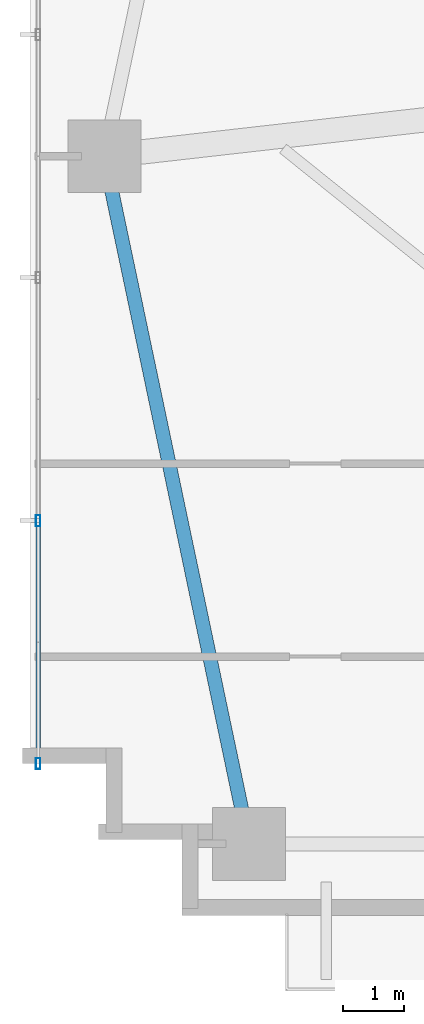
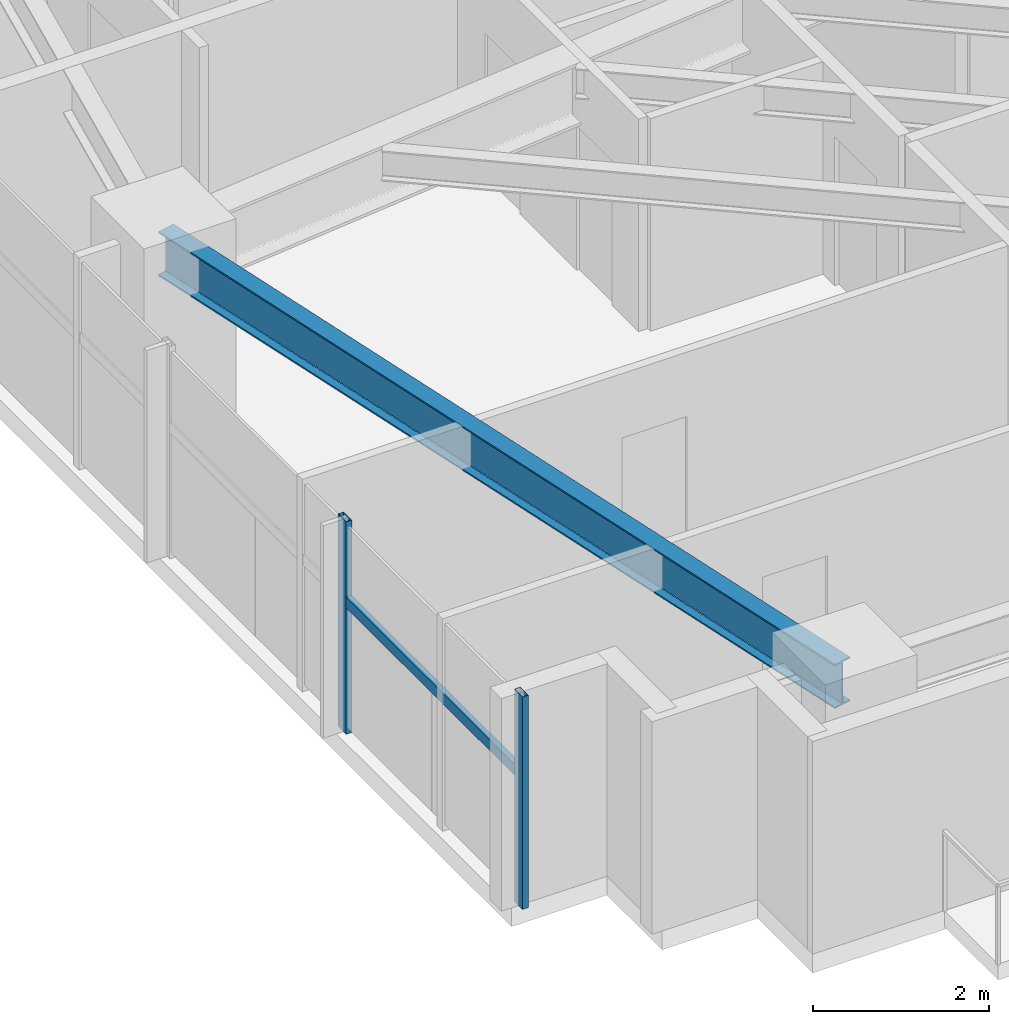
# One storey, part 2 of 25: 3 members, 1 beam, 1 element without a shape of its own.
"""IFC4 building model written with IfcOpenShell, lengths in metres."""

from ifc_helpers import new_model, si_unit, direction, frame, origin, origin_2d, place, context, subcontext, project, spatial, hollow_rectangle, i_section, extrude, source, transform, mapped, material, material_profile, profile_set, type_object, type_shapes, element, aggregate, save


model = new_model("IFC4")

# Units and contexts
model_context = context("Model", 3, precision=1e-05, world=origin(), true_north=direction((0.0, 1.0)))
body_context = subcontext(model_context, "Body", "Model", "MODEL_VIEW")
ifc_project = project(units=[si_unit("LENGTHUNIT", "METRE"), si_unit("AREAUNIT", "SQUARE_METRE"), si_unit("VOLUMEUNIT", "CUBIC_METRE"), si_unit("PLANEANGLEUNIT", "RADIAN"), si_unit("MASSUNIT", "GRAM", prefix="KILO")], contexts=[model_context])

# Site, building, storey
site_placement = place(None, origin())
site = spatial("IfcSite", under=ifc_project, at=site_placement, CompositionType="ELEMENT")
building_placement = place(site_placement, origin())
building = spatial("IfcBuilding", under=site, at=building_placement, Name="Astriad Promenade Condominiums", CompositionType="ELEMENT")
storey_placement = place(building_placement, frame((0.0, 0.0, 61.39990234375)))
storey = spatial("IfcBuildingStorey", under=building, at=storey_placement, Name="L17", CompositionType="ELEMENT", Elevation=61.39990234375)

# Beam
ifc_material_1 = material(Name="Steel ASTM A992 Grade 50", Category="steel")
ifc_material_profile_1 = material_profile(ifc_material_1, i_section(OverallWidth=0.22900390625, OverallDepth=0.612060546875, WebThickness=0.011962890625, FlangeThickness=0.01953125, FilletRadius=0.017822265625, at=origin_2d()), Name="W24X84")
ifc_profile_set_1 = profile_set([ifc_material_profile_1], Name="Steel ASTM A992 Grade 50")
beam_type = type_object("IfcBeamType", Name="STEEL SPANDREL BEAM W24X84", PredefinedType="SPANDREL", material=ifc_profile_set_1)
shared_shape_1 = source(origin(), body_context, "Body", "SweptSolid", [
    extrude(i_section(OverallWidth=0.22900390625, OverallDepth=0.612060546875, WebThickness=0.011962890625, FlangeThickness=0.01953125, FilletRadius=0.017822265625, at=origin_2d()), origin(), (0.0, 0.0, 1.0), 11.487548828125),
])
type_shapes(beam_type, [shared_shape_1])
beam_placement = place(storey_placement, frame((7.0283203125, 15.160888671875, 2.634033203125), z_axis=(0.205748055501, -0.978604995725, 0.0), x_axis=(0.978604995725, 0.205748055501, 0.0)))
element("IfcBeam", 1, at=beam_placement, inside=storey, type_object=beam_type, Name="Perimeter Spandrel Beam SP-W1-L17", PredefinedType="SPANDREL", context=body_context, shape_type="MappedRepresentation", body=[
    mapped(shared_shape_1, transform((0.0, 0.0, 0.0), scale=1.0)),
])

# Curtain wall, members
ifc_material_2 = material(Name="Anodised aluminium Black Dark Glass Unitised", Category="aluminium")
curtain_wall_type = type_object("IfcCurtainWallType", Name="CW-B1-DARK", PredefinedType="USERDEFINED", material=ifc_material_2)
curtain_wall_placement = place(storey_placement, origin())
curtain_wall = element("IfcCurtainWall", 2, at=curtain_wall_placement, inside=storey, type_object=curtain_wall_type, Name="CW-L17-W", ObjectType="UNITISED_CURTAIN_WALL", PredefinedType="USERDEFINED")
ifc_material_3 = material(Name="Anodised aluminium 6063-T6 Black", Category="aluminium")
ifc_material_profile_2 = material_profile(ifc_material_3, hollow_rectangle(XDim=0.074951171875, YDim=0.14990234375, WallThickness=0.004150390625, at=origin_2d()), Name="ALU-TRN-75X150")
ifc_profile_set_2 = profile_set([ifc_material_profile_2], Name="Anodised aluminium 6063-T6 Black")
member_type_1 = type_object("IfcMemberType", Name="TRN-ALU-TRN-75X150", PredefinedType="USERDEFINED", material=ifc_profile_set_2)
shared_shape_2 = source(origin(), body_context, "Body", "SweptSolid", [
    extrude(hollow_rectangle(XDim=0.074951171875, YDim=0.14990234375, WallThickness=0.004150390625, at=origin_2d()), origin(), (0.0, 0.0, 1.0), 4.0),
])
type_shapes(member_type_1, [shared_shape_2])
member_1_placement = place(storey_placement, frame((5.929931640625, 5.199951171875, 1.822998046875), z_axis=(0.0, 1.0, 0.0), x_axis=(-1.0, 0.0, 0.0)))
member_1 = element("IfcMember", 3, at=member_1_placement, type_object=member_type_1, Name="CW-L17-W-TRN-00-0", ObjectType="TRANSOM", PredefinedType="USERDEFINED", context=body_context, shape_type="MappedRepresentation", body=[
    mapped(shared_shape_2, transform((0.0, 0.0, 0.0), scale=1.0)),
])
ifc_material_profile_3 = material_profile(ifc_material_3, hollow_rectangle(XDim=0.074951171875, YDim=0.18505859375, WallThickness=0.00439453125, at=origin_2d()), Name="ALU-MUL-75X185")
ifc_profile_set_3 = profile_set([ifc_material_profile_3], Name="Anodised aluminium 6063-T6 Black")
member_type_2 = type_object("IfcMemberType", Name="MUL-ALU-MUL-75X185", PredefinedType="MULLION", material=ifc_profile_set_3)
shared_shape_3 = source(origin(), body_context, "Body", "SweptSolid", [
    extrude(hollow_rectangle(XDim=0.074951171875, YDim=0.18505859375, WallThickness=0.00439453125, at=origin_2d()), origin(), (0.0, 0.0, 1.0), 2.940185546875),
])
type_shapes(member_type_2, [shared_shape_3])
member_2_placement = place(storey_placement, frame((5.929931640625, 5.199951171875, 0.0), z_axis=(0.0, 0.0, 1.0), x_axis=(1.0, 0.0, 0.0)))
member_2 = element("IfcMember", 4, at=member_2_placement, type_object=member_type_2, Name="CW-L17-W-MUL-00", PredefinedType="MULLION", context=body_context, shape_type="MappedRepresentation", body=[
    mapped(shared_shape_3, transform((0.0, 0.0, 0.0), scale=1.0)),
])
member_3_placement = place(storey_placement, frame((5.929931640625, 9.199951171875, 0.0), z_axis=(0.0, 0.0, 1.0), x_axis=(1.0, 0.0, 0.0)))
member_3 = element("IfcMember", 5, at=member_3_placement, type_object=member_type_2, Name="CW-L17-W-MUL-01", PredefinedType="MULLION", context=body_context, shape_type="MappedRepresentation", body=[
    mapped(shared_shape_3, transform((0.0, 0.0, 0.0), scale=1.0)),
])
aggregate(curtain_wall, [member_2, member_3, member_1])

save(model, "model.ifc")
